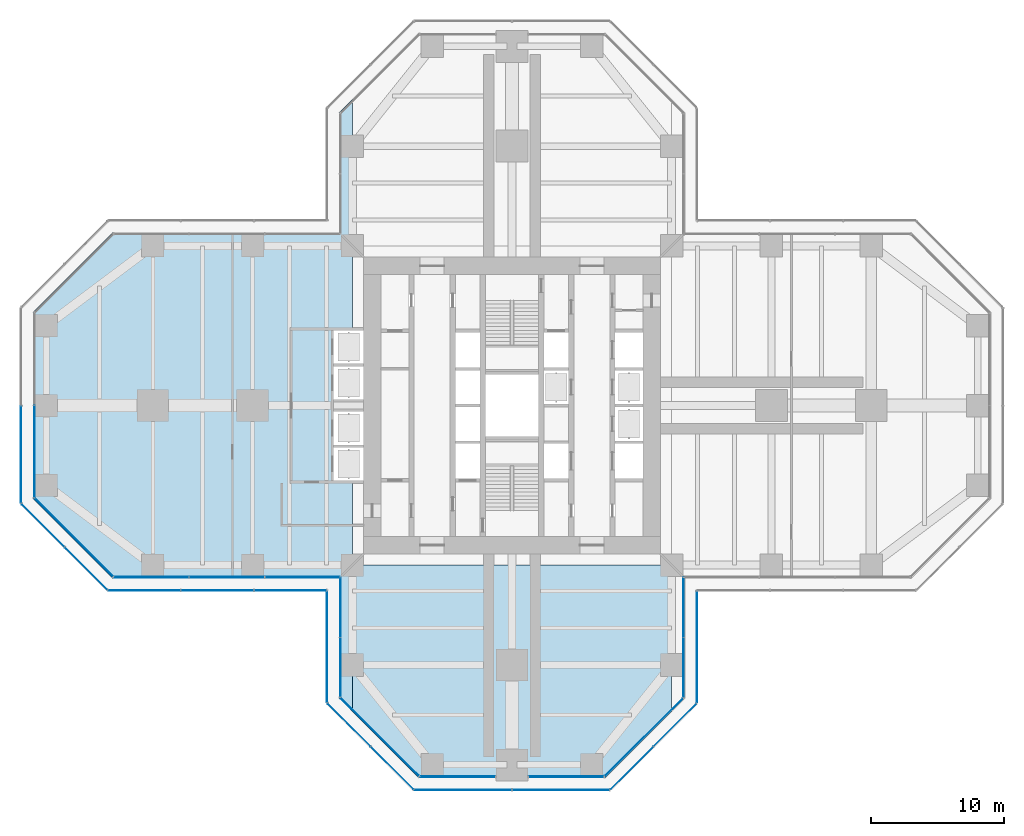
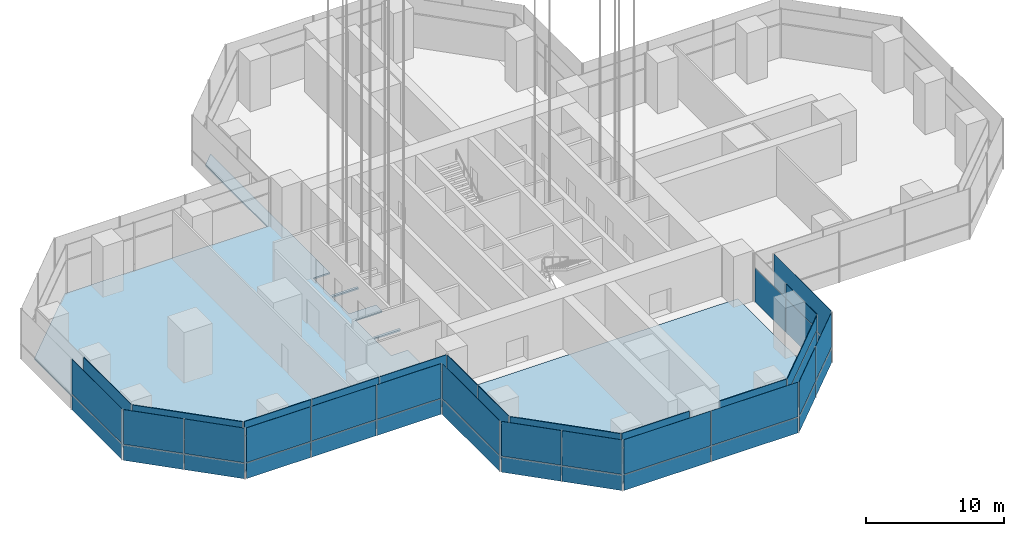
# One storey, part 11 of 34: 53 plates, 2 slabs, 17 elements without a shape of their own.
"""IFC4 building model written with IfcOpenShell, lengths in metres."""

import ifcopenshell
import ifcopenshell.guid

model = None  # the IFC model being written
_history = None  # IfcOwnerHistory: only IFC2X3 demands one
_inside = {}  # id of a spatial element -> (the spatial element, [elements in it])
_under = {}  # id of a project, library or spatial element -> (it, [spatial elements below it])
_declared = {}  # id of a project -> (the project, [libraries it declares])
_typed = {}  # id of a type object -> (the type object, [elements of that type])
_made_of = {}  # id of a material, layer set ... -> (it, [elements and type objects made of it])


def new_model(schema):
    """Start an empty IFC model of exactly this schema.

    Asked for "IFC4X3", IfcOpenShell would pick the latest addendum, in which some entities
    have other attributes; the version numbers below select the first issue.
    IFC2X3 requires an IfcOwnerHistory on every rooted entity: one is made here for all.
    """
    global model, _history
    if schema == "IFC4X3":
        model = ifcopenshell.file(schema_version=(4, 3, 0, 0))
    else:
        model = ifcopenshell.file(schema=schema)
    _inside.clear()
    _under.clear()
    _declared.clear()
    _typed.clear()
    _made_of.clear()
    _history = None
    if model.schema == "IFC2X3":
        org = make("IfcOrganization", Name="unknown")
        user = make(
            "IfcPersonAndOrganization",
            ThePerson=make("IfcPerson", FamilyName="unknown"),
            TheOrganization=org,
        )
        app = make(
            "IfcApplication",
            ApplicationDeveloper=org,
            Version="unknown",
            ApplicationFullName="unknown",
            ApplicationIdentifier="unknown",
        )
        _history = make(
            "IfcOwnerHistory",
            OwningUser=user,
            OwningApplication=app,
            ChangeAction="ADDED",
            CreationDate=0,
        )
    return model


def make(cls, **values):
    """One entity of the class cls with the attributes given. An attribute that is None is left unset."""
    return model.create_entity(
        cls, **{name: value for name, value in values.items() if value is not None}
    )


def rooted(cls, **values):
    """An entity with a GlobalId (a new one), such as an element, a storey or a relation."""
    return make(cls, GlobalId=ifcopenshell.guid.new(), OwnerHistory=_history, **values)


def si_unit(unit_type, name, prefix=None):
    """IfcSIUnit, for example si_unit("LENGTHUNIT", "METRE", prefix="MILLI")."""
    return make("IfcSIUnit", UnitType=unit_type, Prefix=prefix, Name=name)


def assignment(units):
    """IfcUnitAssignment: the units of a project."""
    return None if units is None else make("IfcUnitAssignment", Units=units)


def point(xyz):
    """IfcCartesianPoint."""
    return None if xyz is None else make("IfcCartesianPoint", Coordinates=xyz)


def direction(xyz):
    """IfcDirection."""
    return None if xyz is None else make("IfcDirection", DirectionRatios=xyz)


def frame(location, z_axis=None, x_axis=None):
    """IfcAxis2Placement3D, a coordinate frame: its origin and axes. An axis left out is left unset."""
    return make(
        "IfcAxis2Placement3D",
        Location=point(location),
        Axis=direction(z_axis),
        RefDirection=direction(x_axis),
    )


def frame_2d(location, x_axis=None):
    """IfcAxis2Placement2D, a coordinate frame in the plane: its origin and x axis."""
    return make(
        "IfcAxis2Placement2D", Location=point(location), RefDirection=direction(x_axis)
    )


def origin():
    """The frame at (0, 0, 0) with its axes left unset."""
    return frame((0.0, 0.0, 0.0))


def origin_2d():
    """The frame at (0, 0) in the plane with its x axis left unset."""
    return frame_2d((0.0, 0.0))


def place(relative_to, where):
    """IfcLocalPlacement: puts the frame where relative to a parent placement (None: the world)."""
    return make(
        "IfcLocalPlacement", PlacementRelTo=relative_to, RelativePlacement=where
    )


def context(
    kind, dimensions, precision=None, world=None, true_north=None, identifier=None
):
    """IfcGeometricRepresentationContext, for example the 3D "Model" context."""
    return make(
        "IfcGeometricRepresentationContext",
        ContextIdentifier=identifier,
        ContextType=kind,
        CoordinateSpaceDimension=dimensions,
        Precision=precision,
        WorldCoordinateSystem=world,
        TrueNorth=true_north,
    )


def subcontext(parent, identifier, kind, view, scale=None):
    """IfcGeometricRepresentationSubContext, for example "Body" below "Model"."""
    return make(
        "IfcGeometricRepresentationSubContext",
        ContextIdentifier=identifier,
        ContextType=kind,
        ParentContext=parent,
        TargetScale=scale,
        TargetView=view,
    )


def project(units=None, contexts=None):
    """IfcProject with its units and contexts."""
    return rooted(
        "IfcProject",
        Name="project",
        RepresentationContexts=contexts,
        UnitsInContext=assignment(units),
    )


def spatial(cls, under=None, at=None, **own):
    """A site, building, storey or space (cls), placed at a placement, below another one or the project."""
    s = rooted(cls, ObjectPlacement=at, **own)
    if under is not None:
        _under.setdefault(under.id(), (under, []))[1].append(s)
    return s


def polyline(points):
    """IfcPolyline through the points."""
    return make("IfcPolyline", Points=[point(p) for p in points])


def profile(cls, at=None, kind="AREA", **sizes):
    """A parametric profile (cls). Its sizes go by their IFC names, for example OverallWidth=200.0."""
    return make(cls, ProfileType=kind, Position=at, **sizes)


def rectangle(**sizes):
    """IfcRectangleProfileDef."""
    return profile("IfcRectangleProfileDef", **sizes)


def outline(outer, holes=None, kind="AREA"):
    """IfcArbitraryClosedProfileDef: a profile drawn as a closed curve; with holes, ...WithVoids."""
    if holes is None:
        return make("IfcArbitraryClosedProfileDef", ProfileType=kind, OuterCurve=outer)
    return make(
        "IfcArbitraryProfileDefWithVoids",
        ProfileType=kind,
        OuterCurve=outer,
        InnerCurves=holes,
    )


def extrude(swept, where, along, depth):
    """IfcExtrudedAreaSolid: the profile swept, set in the frame where, extruded along a direction by depth."""
    return make(
        "IfcExtrudedAreaSolid",
        SweptArea=swept,
        Position=where,
        ExtrudedDirection=direction(along),
        Depth=depth,
    )


def shape(context_of_items, identifier, shape_type, items):
    """IfcShapeRepresentation: the items that make up one representation, for example the "Body"."""
    return make(
        "IfcShapeRepresentation",
        ContextOfItems=context_of_items,
        RepresentationIdentifier=identifier,
        RepresentationType=shape_type,
        Items=items,
    )


def material(Name=None, Category=None):
    """IfcMaterial."""
    return make("IfcMaterial", Name=Name, Category=Category)


def layer(
    of_material, thickness, ventilated=None, Name=None, Category=None, Priority=None
):
    """IfcMaterialLayer: one layer of a wall or slab, of a material (None: an air gap)."""
    return make(
        "IfcMaterialLayer",
        Material=of_material,
        LayerThickness=thickness,
        IsVentilated=ventilated,
        Name=Name,
        Category=Category,
        Priority=Priority,
    )


def layer_set(layers, Name=None):
    """IfcMaterialLayerSet."""
    return make("IfcMaterialLayerSet", MaterialLayers=layers, LayerSetName=Name)


def made_of(thing, what):
    """Note that an element or type object is made of a material, layer set ...; save() writes the relation."""
    if what is not None:
        _made_of.setdefault(what.id(), (what, []))[1].append(thing)
    return thing


def type_object(cls, material=None, **own):
    """A type object (cls), such as IfcWallType, which elements share."""
    return made_of(rooted(cls, **own), material)


def element(
    cls,
    number,
    at=None,
    inside=None,
    cuts=None,
    type_object=None,
    material=None,
    context=None,
    identifier="Body",
    shape_type=None,
    held_by="IfcProductDefinitionShape",
    body=None,
    shapes=None,
    **own,
):
    """One element of the class cls, such as IfcWall. Its Tag is "e" and its number.

    at: its placement. inside: the storey or other place that contains it. cuts: it is an
    opening in that element (IfcRelVoidsElement). A single representation is given by context,
    identifier, shape_type and body (its items); several are given by shapes. held_by: the class
    of the entity that holds the representations. save() writes the other relations.
    """
    e = rooted(cls, Tag="e%d" % number, ObjectPlacement=at, **own)
    if body is not None:
        shapes = [shape(context, identifier, shape_type, body)]
    if shapes is not None:
        e.Representation = make(held_by, Representations=shapes)
    if inside is not None:
        _inside.setdefault(inside.id(), (inside, []))[1].append(e)
    if cuts is not None:
        rooted(
            "IfcRelVoidsElement", RelatingBuildingElement=cuts, RelatedOpeningElement=e
        )
    if type_object is not None:
        _typed.setdefault(type_object.id(), (type_object, []))[1].append(e)
    return made_of(e, material)


def aggregate(whole, parts):
    """IfcRelAggregates: a whole, such as a stair, and the parts it consists of."""
    return rooted("IfcRelAggregates", RelatingObject=whole, RelatedObjects=parts)


def save(model, path):
    """Write the relations noted so far, then the file.

    IfcRelAggregates (storeys below a building ...), IfcRelContainedInSpatialStructure (elements
    in a storey), IfcRelDefinesByType, IfcRelAssociatesMaterial and IfcRelDeclares: one each for
    every whole, place, type object, material and project.
    """
    for whole, parts in _under.values():
        aggregate(whole, parts)
    for where, things in _inside.values():
        rooted(
            "IfcRelContainedInSpatialStructure",
            RelatedElements=things,
            RelatingStructure=where,
        )
    for kind, things in _typed.values():
        rooted("IfcRelDefinesByType", RelatedObjects=things, RelatingType=kind)
    for what, things in _made_of.values():
        rooted("IfcRelAssociatesMaterial", RelatedObjects=things, RelatingMaterial=what)
    for by, libraries in _declared.values():
        rooted("IfcRelDeclares", RelatingContext=by, RelatedDefinitions=libraries)
    model.write(path)


model = new_model("IFC4")

# Units and contexts
model_context = context("Model", 3, precision=1e-05, world=origin(), true_north=direction((0.0, 1.0)))
body_context = subcontext(model_context, "Body", "Model", "MODEL_VIEW")
ifc_project = project(units=[si_unit("LENGTHUNIT", "METRE"), si_unit("AREAUNIT", "SQUARE_METRE"), si_unit("VOLUMEUNIT", "CUBIC_METRE"), si_unit("PLANEANGLEUNIT", "RADIAN"), si_unit("MASSUNIT", "GRAM", prefix="KILO")], contexts=[model_context])

# Site, building, storey
site_placement = place(None, origin())
site = spatial("IfcSite", under=ifc_project, at=site_placement, CompositionType="ELEMENT")
building_placement = place(site_placement, origin())
building = spatial("IfcBuilding", under=site, at=building_placement, Name="Mizan Broadcast Tower", CompositionType="ELEMENT")
storey_placement = place(building_placement, frame((0.0, 0.0, 194.39990234375)))
storey = spatial("IfcBuildingStorey", under=building, at=storey_placement, Name="L45", CompositionType="ELEMENT", Elevation=194.39990234375)

# Slabs
ifc_material_1 = material(Name="Concrete C32/40", Category="concrete")
ifc_layer_1 = layer(ifc_material_1, 0.1298828125)
ifc_layer_set_1 = layer_set([ifc_layer_1], Name="Concrete C32/40")
slab_type = type_object("IfcSlabType", Name="COMPOSITE DECK SLAB 130", PredefinedType="FLOOR", material=ifc_layer_set_1)
slab_1_placement = place(storey_placement, frame((0.0, 0.0, -0.1298828125)))
element("IfcSlab", 1, at=slab_1_placement, inside=storey, type_object=slab_type, Name="Floor slab L45 west arm", PredefinedType="FLOOR", context=body_context, shape_type="SweptSolid", body=[
    extrude(outline(polyline([(-30.0, 13.0), (-36.0, 7.0), (-36.0, -7.0), (-30.0, -13.0), (-13.0, -13.0), (-13.0, -22.0), (-12.0, -23.0), (-12.0, -5.64990234375), (-13.39990234375, -5.64990234375), (-13.39990234375, -3.14990234375), (-11.14990234375, -3.14990234375), (-11.14990234375, -2.949951171875), (-13.39990234375, -2.949951171875), (-13.39990234375, -0.449951171875), (-11.14990234375, -0.449951171875), (-11.14990234375, 0.449951171875), (-13.39990234375, 0.449951171875), (-13.39990234375, 2.949951171875), (-11.14990234375, 2.949951171875), (-11.14990234375, 3.14990234375), (-13.39990234375, 3.14990234375), (-13.39990234375, 5.64990234375), (-12.0, 5.64990234375), (-12.0, 23.0), (-13.0, 22.0), (-13.0, 13.0), (-30.0, 13.0)])), origin(), (0.0, 0.0, 1.0), 0.1298828125),
])
slab_2_placement = place(storey_placement, frame((0.0, 0.0, -0.1298828125)))
element("IfcSlab", 2, at=slab_2_placement, inside=storey, type_object=slab_type, Name="Floor slab L45 south arm", PredefinedType="FLOOR", context=body_context, shape_type="SweptSolid", body=[
    extrude(outline(polyline([(7.0, -28.0), (12.0, -23.0), (12.0, -12.0), (-12.0, -12.0), (-12.0, -23.0), (-7.0, -28.0), (7.0, -28.0)])), origin(), (0.0, 0.0, 1.0), 0.1298828125),
])

# Curtain wall, plate
ifc_material_2 = material(Name="Aluminium framed glazing", Category="aluminium")
curtain_wall_type_1 = type_object("IfcCurtainWallType", Name="INNER SKIN HIGH ZONE", PredefinedType="USERDEFINED", material=ifc_material_2)
curtain_wall_1_placement = place(storey_placement, origin())
curtain_wall_1 = element("IfcCurtainWall", 3, at=curtain_wall_1_placement, inside=storey, type_object=curtain_wall_type_1, Name="Inner skin high zone L45 W end", ObjectType="INNER SKIN HIGH ZONE", PredefinedType="USERDEFINED")
ifc_material_3 = material(Name="Double glazing, clear low-e", Category="glass")
ifc_layer_2 = layer(ifc_material_3, 0.028076171875)
ifc_layer_set_2 = layer_set([ifc_layer_2], Name="Double glazing, clear low-e")
plate_type_1 = type_object("IfcPlateType", Name="INNER SKIN GLAZING UNIT", PredefinedType="CURTAIN_PANEL", material=ifc_layer_set_2)
plate_1_placement = place(storey_placement, frame((-35.89990234375, -3.46435546875, 0.0), z_axis=(0.0, 0.0, 1.0), x_axis=(0.0, -1.0, 0.0)))
plate_1 = element("IfcPlate", 4, at=plate_1_placement, type_object=plate_type_1, Name="Inner skin high zone L45 W end panel 2.1", PredefinedType="CURTAIN_PANEL", context=body_context, shape_type="SweptSolid", body=[
    extrude(rectangle(XDim=6.86865234375, YDim=0.028076171875, at=origin_2d()), origin(), (0.0, 0.0, 1.0), 3.0),
])

curtain_wall_2_placement = place(storey_placement, origin())
curtain_wall_2 = element("IfcCurtainWall", 5, at=curtain_wall_2_placement, inside=storey, type_object=curtain_wall_type_1, Name="Inner skin high zone L45 W chamfer", ObjectType="INNER SKIN HIGH ZONE", PredefinedType="USERDEFINED")
plate_2_placement = place(storey_placement, frame((-32.92919921875, -9.92919921875, 0.0), z_axis=(0.0, 0.0, 1.0), x_axis=(0.707106781187, -0.707106781187, 0.0)))
plate_2 = element("IfcPlate", 6, at=plate_2_placement, type_object=plate_type_1, Name="Inner skin high zone L45 W chamfer panel 1.1", PredefinedType="CURTAIN_PANEL", context=body_context, shape_type="SweptSolid", body=[
    extrude(rectangle(XDim=8.282470703125, YDim=0.028076171875, at=origin_2d()), origin(), (0.0, 0.0, 1.0), 3.0),
])

# Curtain wall, plates
curtain_wall_3_placement = place(storey_placement, origin())
curtain_wall_3 = element("IfcCurtainWall", 7, at=curtain_wall_3_placement, inside=storey, type_object=curtain_wall_type_1, Name="Inner skin high zone L45 W side", ObjectType="INNER SKIN HIGH ZONE", PredefinedType="USERDEFINED")
plate_3_placement = place(storey_placement, frame((-27.1005859375, -12.89990234375, 0.0), z_axis=(0.0, 0.0, 1.0), x_axis=(1.0, 0.0, 0.0)))
plate_3 = element("IfcPlate", 8, at=plate_3_placement, type_object=plate_type_1, Name="Inner skin high zone L45 W side panel 1.1", PredefinedType="CURTAIN_PANEL", context=body_context, shape_type="SweptSolid", body=[
    extrude(rectangle(XDim=5.59619140625, YDim=0.028076171875, at=origin_2d()), origin(), (0.0, 0.0, 1.0), 3.0),
])
plate_4_placement = place(storey_placement, frame((-21.42919921875, -12.89990234375, 0.0), z_axis=(0.0, 0.0, 1.0), x_axis=(1.0, 0.0, 0.0)))
plate_4 = element("IfcPlate", 9, at=plate_4_placement, type_object=plate_type_1, Name="Inner skin high zone L45 W side panel 2.1", PredefinedType="CURTAIN_PANEL", context=body_context, shape_type="SweptSolid", body=[
    extrude(rectangle(XDim=5.626220703125, YDim=0.028076171875, at=origin_2d()), origin(), (0.0, 0.0, 1.0), 3.0),
])
plate_5_placement = place(storey_placement, frame((-15.758056640625, -12.89990234375, 0.0), z_axis=(0.0, 0.0, 1.0), x_axis=(1.0, 0.0, 0.0)))
plate_5 = element("IfcPlate", 10, at=plate_5_placement, type_object=plate_type_1, Name="Inner skin high zone L45 W side panel 3.1", PredefinedType="CURTAIN_PANEL", context=body_context, shape_type="SweptSolid", body=[
    extrude(rectangle(XDim=5.59619140625, YDim=0.028076171875, at=origin_2d()), origin(), (0.0, 0.0, 1.0), 3.0),
])

curtain_wall_4_placement = place(storey_placement, origin())
curtain_wall_4 = element("IfcCurtainWall", 11, at=curtain_wall_4_placement, inside=storey, type_object=curtain_wall_type_1, Name="Inner skin high zone L45 S side", ObjectType="INNER SKIN HIGH ZONE", PredefinedType="USERDEFINED")
plate_6_placement = place(storey_placement, frame((-12.89990234375, -15.1796875, 0.0), z_axis=(0.0, 0.0, 1.0), x_axis=(0.0, -1.0, 0.0)))
plate_6 = element("IfcPlate", 12, at=plate_6_placement, type_object=plate_type_1, Name="Inner skin high zone L45 S side panel 1.1", PredefinedType="CURTAIN_PANEL", context=body_context, shape_type="SweptSolid", body=[
    extrude(rectangle(XDim=4.439208984375, YDim=0.028076171875, at=origin_2d()), origin(), (0.0, 0.0, 1.0), 3.0),
])
plate_7_placement = place(storey_placement, frame((-12.89990234375, -19.678955078125, 0.0), z_axis=(0.0, 0.0, 1.0), x_axis=(0.0, -1.0, 0.0)))
plate_7 = element("IfcPlate", 13, at=plate_7_placement, type_object=plate_type_1, Name="Inner skin high zone L45 S side panel 2.1", PredefinedType="CURTAIN_PANEL", context=body_context, shape_type="SweptSolid", body=[
    extrude(rectangle(XDim=4.439208984375, YDim=0.028076171875, at=origin_2d()), origin(), (0.0, 0.0, 1.0), 3.0),
])

# Curtain wall, plate
curtain_wall_5_placement = place(storey_placement, origin())
curtain_wall_5 = element("IfcCurtainWall", 14, at=curtain_wall_5_placement, inside=storey, type_object=curtain_wall_type_1, Name="Inner skin high zone L45 S chamfer", ObjectType="INNER SKIN HIGH ZONE", PredefinedType="USERDEFINED")
plate_8_placement = place(storey_placement, frame((-9.92919921875, -24.92919921875, 0.0), z_axis=(0.0, 0.0, 1.0), x_axis=(0.707106781187, -0.707106781187, 0.0)))
plate_8 = element("IfcPlate", 15, at=plate_8_placement, type_object=plate_type_1, Name="Inner skin high zone L45 S chamfer panel 1.1", PredefinedType="CURTAIN_PANEL", context=body_context, shape_type="SweptSolid", body=[
    extrude(rectangle(XDim=8.282470703125, YDim=0.028076171875, at=origin_2d()), origin(), (0.0, 0.0, 1.0), 3.0),
])

curtain_wall_6_placement = place(storey_placement, origin())
curtain_wall_6 = element("IfcCurtainWall", 16, at=curtain_wall_6_placement, inside=storey, type_object=curtain_wall_type_1, Name="Inner skin high zone L45 S end", ObjectType="INNER SKIN HIGH ZONE", PredefinedType="USERDEFINED")
plate_9_placement = place(storey_placement, frame((-4.079345703125, -27.89990234375, 0.0), z_axis=(0.0, 0.0, 1.0), x_axis=(1.0, 0.0, 0.0)))
plate_9 = element("IfcPlate", 17, at=plate_9_placement, type_object=plate_type_1, Name="Inner skin high zone L45 S end panel 1.1", PredefinedType="CURTAIN_PANEL", context=body_context, shape_type="SweptSolid", body=[
    extrude(rectangle(XDim=5.638671875, YDim=0.028076171875, at=origin_2d()), origin(), (0.0, 0.0, 1.0), 3.0),
])

curtain_wall_7_placement = place(storey_placement, origin())
curtain_wall_7 = element("IfcCurtainWall", 18, at=curtain_wall_7_placement, inside=storey, type_object=curtain_wall_type_1, Name="Inner skin high zone L45 S end", ObjectType="INNER SKIN HIGH ZONE", PredefinedType="USERDEFINED")
plate_10_placement = place(storey_placement, frame((4.079345703125, -27.89990234375, 0.0), z_axis=(0.0, 0.0, 1.0), x_axis=(1.0, 0.0, 0.0)))
plate_10 = element("IfcPlate", 19, at=plate_10_placement, type_object=plate_type_1, Name="Inner skin high zone L45 S end panel 1.1", PredefinedType="CURTAIN_PANEL", context=body_context, shape_type="SweptSolid", body=[
    extrude(rectangle(XDim=5.638671875, YDim=0.028076171875, at=origin_2d()), origin(), (0.0, 0.0, 1.0), 3.0),
])

curtain_wall_8_placement = place(storey_placement, origin())
curtain_wall_8 = element("IfcCurtainWall", 20, at=curtain_wall_8_placement, inside=storey, type_object=curtain_wall_type_1, Name="Inner skin high zone L45 S chamfer", ObjectType="INNER SKIN HIGH ZONE", PredefinedType="USERDEFINED")
plate_11_placement = place(storey_placement, frame((9.92919921875, -24.92919921875, 0.0), z_axis=(0.0, 0.0, 1.0), x_axis=(0.707106781187, 0.707106781187, 0.0)))
plate_11 = element("IfcPlate", 21, at=plate_11_placement, type_object=plate_type_1, Name="Inner skin high zone L45 S chamfer panel 1.1", PredefinedType="CURTAIN_PANEL", context=body_context, shape_type="SweptSolid", body=[
    extrude(rectangle(XDim=8.282470703125, YDim=0.028076171875, at=origin_2d()), origin(), (0.0, 0.0, 1.0), 3.0),
])

# Curtain wall, plates
curtain_wall_9_placement = place(storey_placement, origin())
curtain_wall_9 = element("IfcCurtainWall", 22, at=curtain_wall_9_placement, inside=storey, type_object=curtain_wall_type_1, Name="Inner skin high zone L45 S side", ObjectType="INNER SKIN HIGH ZONE", PredefinedType="USERDEFINED")
plate_12_placement = place(storey_placement, frame((12.89990234375, -19.678955078125, 0.0), z_axis=(0.0, 0.0, 1.0), x_axis=(0.0, 1.0, 0.0)))
plate_12 = element("IfcPlate", 23, at=plate_12_placement, type_object=plate_type_1, Name="Inner skin high zone L45 S side panel 1.1", PredefinedType="CURTAIN_PANEL", context=body_context, shape_type="SweptSolid", body=[
    extrude(rectangle(XDim=4.439208984375, YDim=0.028076171875, at=origin_2d()), origin(), (0.0, 0.0, 1.0), 3.0),
])
plate_13_placement = place(storey_placement, frame((12.89990234375, -15.1796875, 0.0), z_axis=(0.0, 0.0, 1.0), x_axis=(0.0, 1.0, 0.0)))
plate_13 = element("IfcPlate", 24, at=plate_13_placement, type_object=plate_type_1, Name="Inner skin high zone L45 S side panel 2.1", PredefinedType="CURTAIN_PANEL", context=body_context, shape_type="SweptSolid", body=[
    extrude(rectangle(XDim=4.439208984375, YDim=0.028076171875, at=origin_2d()), origin(), (0.0, 0.0, 1.0), 3.0),
])

# Plate
ifc_material_4 = material(Name="Insulated aluminium spandrel panel, pale anodised", Category="aluminium")
ifc_layer_3 = layer(ifc_material_4, 0.050048828125)
ifc_layer_set_3 = layer_set([ifc_layer_3], Name="Insulated aluminium spandrel panel, pale anodised")
plate_type_2 = type_object("IfcPlateType", Name="INNER SKIN SPANDREL PANEL", PredefinedType="CURTAIN_PANEL", material=ifc_layer_set_3)
plate_14_placement = place(storey_placement, frame((-35.89990234375, -3.46435546875, 3.06005859375), z_axis=(0.0, 0.0, 1.0), x_axis=(0.0, -1.0, 0.0)))
plate_14 = element("IfcPlate", 25, at=plate_14_placement, type_object=plate_type_2, Name="Inner skin high zone L45 W end panel 2.2", PredefinedType="CURTAIN_PANEL", context=body_context, shape_type="SweptSolid", body=[
    extrude(rectangle(XDim=6.86865234375, YDim=0.050048828125, at=origin_2d()), origin(), (0.0, 0.0, 1.0), 1.260009765625),
])

aggregate(curtain_wall_1, [plate_1, plate_14])

plate_15_placement = place(storey_placement, frame((-32.92919921875, -9.92919921875, 3.06005859375), z_axis=(0.0, 0.0, 1.0), x_axis=(0.707106781187, -0.707106781187, 0.0)))
plate_15 = element("IfcPlate", 26, at=plate_15_placement, type_object=plate_type_2, Name="Inner skin high zone L45 W chamfer panel 1.2", PredefinedType="CURTAIN_PANEL", context=body_context, shape_type="SweptSolid", body=[
    extrude(rectangle(XDim=8.282470703125, YDim=0.050048828125, at=origin_2d()), origin(), (0.0, 0.0, 1.0), 1.260009765625),
])

aggregate(curtain_wall_2, [plate_2, plate_15])

plate_16_placement = place(storey_placement, frame((-27.1005859375, -12.89990234375, 3.06005859375), z_axis=(0.0, 0.0, 1.0), x_axis=(1.0, 0.0, 0.0)))
plate_16 = element("IfcPlate", 27, at=plate_16_placement, type_object=plate_type_2, Name="Inner skin high zone L45 W side panel 1.2", PredefinedType="CURTAIN_PANEL", context=body_context, shape_type="SweptSolid", body=[
    extrude(rectangle(XDim=5.59619140625, YDim=0.050048828125, at=origin_2d()), origin(), (0.0, 0.0, 1.0), 1.260009765625),
])

plate_17_placement = place(storey_placement, frame((-21.42919921875, -12.89990234375, 3.06005859375), z_axis=(0.0, 0.0, 1.0), x_axis=(1.0, 0.0, 0.0)))
plate_17 = element("IfcPlate", 28, at=plate_17_placement, type_object=plate_type_2, Name="Inner skin high zone L45 W side panel 2.2", PredefinedType="CURTAIN_PANEL", context=body_context, shape_type="SweptSolid", body=[
    extrude(rectangle(XDim=5.626220703125, YDim=0.050048828125, at=origin_2d()), origin(), (0.0, 0.0, 1.0), 1.260009765625),
])

plate_18_placement = place(storey_placement, frame((-15.758056640625, -12.89990234375, 3.06005859375), z_axis=(0.0, 0.0, 1.0), x_axis=(1.0, 0.0, 0.0)))
plate_18 = element("IfcPlate", 29, at=plate_18_placement, type_object=plate_type_2, Name="Inner skin high zone L45 W side panel 3.2", PredefinedType="CURTAIN_PANEL", context=body_context, shape_type="SweptSolid", body=[
    extrude(rectangle(XDim=5.59619140625, YDim=0.050048828125, at=origin_2d()), origin(), (0.0, 0.0, 1.0), 1.260009765625),
])

aggregate(curtain_wall_3, [plate_3, plate_16, plate_4, plate_17, plate_5, plate_18])

plate_19_placement = place(storey_placement, frame((-12.89990234375, -15.1796875, 3.06005859375), z_axis=(0.0, 0.0, 1.0), x_axis=(0.0, -1.0, 0.0)))
plate_19 = element("IfcPlate", 30, at=plate_19_placement, type_object=plate_type_2, Name="Inner skin high zone L45 S side panel 1.2", PredefinedType="CURTAIN_PANEL", context=body_context, shape_type="SweptSolid", body=[
    extrude(rectangle(XDim=4.439208984375, YDim=0.050048828125, at=origin_2d()), origin(), (0.0, 0.0, 1.0), 1.260009765625),
])

plate_20_placement = place(storey_placement, frame((-12.89990234375, -19.678955078125, 3.06005859375), z_axis=(0.0, 0.0, 1.0), x_axis=(0.0, -1.0, 0.0)))
plate_20 = element("IfcPlate", 31, at=plate_20_placement, type_object=plate_type_2, Name="Inner skin high zone L45 S side panel 2.2", PredefinedType="CURTAIN_PANEL", context=body_context, shape_type="SweptSolid", body=[
    extrude(rectangle(XDim=4.439208984375, YDim=0.050048828125, at=origin_2d()), origin(), (0.0, 0.0, 1.0), 1.260009765625),
])

aggregate(curtain_wall_4, [plate_6, plate_19, plate_7, plate_20])

plate_21_placement = place(storey_placement, frame((-9.92919921875, -24.92919921875, 3.06005859375), z_axis=(0.0, 0.0, 1.0), x_axis=(0.707106781187, -0.707106781187, 0.0)))
plate_21 = element("IfcPlate", 32, at=plate_21_placement, type_object=plate_type_2, Name="Inner skin high zone L45 S chamfer panel 1.2", PredefinedType="CURTAIN_PANEL", context=body_context, shape_type="SweptSolid", body=[
    extrude(rectangle(XDim=8.282470703125, YDim=0.050048828125, at=origin_2d()), origin(), (0.0, 0.0, 1.0), 1.260009765625),
])

aggregate(curtain_wall_5, [plate_8, plate_21])

plate_22_placement = place(storey_placement, frame((-4.079345703125, -27.89990234375, 3.06005859375), z_axis=(0.0, 0.0, 1.0), x_axis=(1.0, 0.0, 0.0)))
plate_22 = element("IfcPlate", 33, at=plate_22_placement, type_object=plate_type_2, Name="Inner skin high zone L45 S end panel 1.2", PredefinedType="CURTAIN_PANEL", context=body_context, shape_type="SweptSolid", body=[
    extrude(rectangle(XDim=5.638671875, YDim=0.050048828125, at=origin_2d()), origin(), (0.0, 0.0, 1.0), 1.260009765625),
])

aggregate(curtain_wall_6, [plate_9, plate_22])

plate_23_placement = place(storey_placement, frame((4.079345703125, -27.89990234375, 3.06005859375), z_axis=(0.0, 0.0, 1.0), x_axis=(1.0, 0.0, 0.0)))
plate_23 = element("IfcPlate", 34, at=plate_23_placement, type_object=plate_type_2, Name="Inner skin high zone L45 S end panel 1.2", PredefinedType="CURTAIN_PANEL", context=body_context, shape_type="SweptSolid", body=[
    extrude(rectangle(XDim=5.638671875, YDim=0.050048828125, at=origin_2d()), origin(), (0.0, 0.0, 1.0), 1.260009765625),
])

aggregate(curtain_wall_7, [plate_10, plate_23])

plate_24_placement = place(storey_placement, frame((9.92919921875, -24.92919921875, 3.06005859375), z_axis=(0.0, 0.0, 1.0), x_axis=(0.707106781187, 0.707106781187, 0.0)))
plate_24 = element("IfcPlate", 35, at=plate_24_placement, type_object=plate_type_2, Name="Inner skin high zone L45 S chamfer panel 1.2", PredefinedType="CURTAIN_PANEL", context=body_context, shape_type="SweptSolid", body=[
    extrude(rectangle(XDim=8.282470703125, YDim=0.050048828125, at=origin_2d()), origin(), (0.0, 0.0, 1.0), 1.260009765625),
])

aggregate(curtain_wall_8, [plate_11, plate_24])

plate_25_placement = place(storey_placement, frame((12.89990234375, -19.678955078125, 3.06005859375), z_axis=(0.0, 0.0, 1.0), x_axis=(0.0, 1.0, 0.0)))
plate_25 = element("IfcPlate", 36, at=plate_25_placement, type_object=plate_type_2, Name="Inner skin high zone L45 S side panel 1.2", PredefinedType="CURTAIN_PANEL", context=body_context, shape_type="SweptSolid", body=[
    extrude(rectangle(XDim=4.439208984375, YDim=0.050048828125, at=origin_2d()), origin(), (0.0, 0.0, 1.0), 1.260009765625),
])

aggregate(curtain_wall_9, [plate_12, plate_25, plate_13])

# Curtain wall, plates
ifc_material_5 = material(Name="Aluminium framed glazing", Category="aluminium")
curtain_wall_type_2 = type_object("IfcCurtainWallType", Name="OUTER SKIN", PredefinedType="USERDEFINED", material=ifc_material_5)
curtain_wall_10_placement = place(storey_placement, origin())
curtain_wall_10 = element("IfcCurtainWall", 37, at=curtain_wall_10_placement, inside=storey, type_object=curtain_wall_type_2, Name="Outer skin L45 W chamfer", ObjectType="OUTER SKIN", PredefinedType="USERDEFINED")
ifc_material_6 = material(Name="Laminated clear glass", Category="glass")
ifc_layer_4 = layer(ifc_material_6, 0.02001953125)
ifc_layer_set_4 = layer_set([ifc_layer_4], Name="Laminated clear glass")
plate_type_3 = type_object("IfcPlateType", Name="OUTER SKIN CLEAR GLASS", PredefinedType="CURTAIN_PANEL", material=ifc_layer_set_4)
plate_26_placement = place(storey_placement, frame((-35.254150390625, -9.018798828125, 0.0), z_axis=(0.0, 0.0, 1.0), x_axis=(0.707106781187, -0.707106781187, 0.0)))
plate_26 = element("IfcPlate", 38, at=plate_26_placement, type_object=plate_type_3, Name="Outer skin L45 W chamfer panel 1.1", PredefinedType="CURTAIN_PANEL", context=body_context, shape_type="SweptSolid", body=[
    extrude(rectangle(XDim=4.495361328125, YDim=0.02001953125, at=origin_2d()), origin(), (0.0, 0.0, 1.0), 1.3701171875),
])
plate_27_placement = place(storey_placement, frame((-35.254150390625, -9.018798828125, 1.43017578125), z_axis=(0.0, 0.0, 1.0), x_axis=(0.707106781187, -0.707106781187, 0.0)))
plate_27 = element("IfcPlate", 39, at=plate_27_placement, type_object=plate_type_3, Name="Outer skin L45 W chamfer panel 1.2", PredefinedType="CURTAIN_PANEL", context=body_context, shape_type="SweptSolid", body=[
    extrude(rectangle(XDim=4.495361328125, YDim=0.02001953125, at=origin_2d()), origin(), (0.0, 0.0, 1.0), 3.070068359375),
])

curtain_wall_11_placement = place(storey_placement, origin())
curtain_wall_11 = element("IfcCurtainWall", 40, at=curtain_wall_11_placement, inside=storey, type_object=curtain_wall_type_2, Name="Outer skin L45 W side", ObjectType="OUTER SKIN", PredefinedType="USERDEFINED")
plate_28_placement = place(storey_placement, frame((-27.607421875, -13.89990234375, 0.0), z_axis=(0.0, 0.0, 1.0), x_axis=(1.0, 0.0, 0.0)))
plate_28 = element("IfcPlate", 41, at=plate_28_placement, type_object=plate_type_3, Name="Outer skin L45 W side panel 1.1", PredefinedType="CURTAIN_PANEL", context=body_context, shape_type="SweptSolid", body=[
    extrude(rectangle(XDim=5.370849609375, YDim=0.02001953125, at=origin_2d()), origin(), (0.0, 0.0, 1.0), 1.3701171875),
])
plate_29_placement = place(storey_placement, frame((-27.607421875, -13.89990234375, 1.43017578125), z_axis=(0.0, 0.0, 1.0), x_axis=(1.0, 0.0, 0.0)))
plate_29 = element("IfcPlate", 42, at=plate_29_placement, type_object=plate_type_3, Name="Outer skin L45 W side panel 1.2", PredefinedType="CURTAIN_PANEL", context=body_context, shape_type="SweptSolid", body=[
    extrude(rectangle(XDim=5.370849609375, YDim=0.02001953125, at=origin_2d()), origin(), (0.0, 0.0, 1.0), 3.070068359375),
])
plate_30_placement = place(storey_placement, frame((-16.66552734375, -13.89990234375, 0.0), z_axis=(0.0, 0.0, 1.0), x_axis=(1.0, 0.0, 0.0)))
plate_30 = element("IfcPlate", 43, at=plate_30_placement, type_object=plate_type_3, Name="Outer skin L45 W side panel 3.1", PredefinedType="CURTAIN_PANEL", context=body_context, shape_type="SweptSolid", body=[
    extrude(rectangle(XDim=5.370849609375, YDim=0.02001953125, at=origin_2d()), origin(), (0.0, 0.0, 1.0), 1.3701171875),
])
plate_31_placement = place(storey_placement, frame((-16.66552734375, -13.89990234375, 1.43017578125), z_axis=(0.0, 0.0, 1.0), x_axis=(1.0, 0.0, 0.0)))
plate_31 = element("IfcPlate", 44, at=plate_31_placement, type_object=plate_type_3, Name="Outer skin L45 W side panel 3.2", PredefinedType="CURTAIN_PANEL", context=body_context, shape_type="SweptSolid", body=[
    extrude(rectangle(XDim=5.370849609375, YDim=0.02001953125, at=origin_2d()), origin(), (0.0, 0.0, 1.0), 3.070068359375),
])

curtain_wall_12_placement = place(storey_placement, origin())
curtain_wall_12 = element("IfcCurtainWall", 45, at=curtain_wall_12_placement, inside=storey, type_object=curtain_wall_type_2, Name="Outer skin L45 S side", ObjectType="OUTER SKIN", PredefinedType="USERDEFINED")
plate_32_placement = place(storey_placement, frame((-13.89990234375, -18.136474609375, 0.0), z_axis=(0.0, 0.0, 1.0), x_axis=(0.0, -1.0, 0.0)))
plate_32 = element("IfcPlate", 46, at=plate_32_placement, type_object=plate_type_3, Name="Outer skin L45 S side panel 1.1", PredefinedType="CURTAIN_PANEL", context=body_context, shape_type="SweptSolid", body=[
    extrude(rectangle(XDim=8.312744140625, YDim=0.02001953125, at=origin_2d()), origin(), (0.0, 0.0, 1.0), 1.3701171875),
])
plate_33_placement = place(storey_placement, frame((-13.89990234375, -18.136474609375, 1.43017578125), z_axis=(0.0, 0.0, 1.0), x_axis=(0.0, -1.0, 0.0)))
plate_33 = element("IfcPlate", 47, at=plate_33_placement, type_object=plate_type_3, Name="Outer skin L45 S side panel 1.2", PredefinedType="CURTAIN_PANEL", context=body_context, shape_type="SweptSolid", body=[
    extrude(rectangle(XDim=8.312744140625, YDim=0.02001953125, at=origin_2d()), origin(), (0.0, 0.0, 1.0), 3.070068359375),
])
aggregate(curtain_wall_12, [plate_32, plate_33])

curtain_wall_13_placement = place(storey_placement, origin())
curtain_wall_13 = element("IfcCurtainWall", 48, at=curtain_wall_13_placement, inside=storey, type_object=curtain_wall_type_2, Name="Outer skin L45 S chamfer", ObjectType="OUTER SKIN", PredefinedType="USERDEFINED")
plate_34_placement = place(storey_placement, frame((-12.254150390625, -24.018798828125, 0.0), z_axis=(0.0, 0.0, 1.0), x_axis=(0.707106781187, -0.707106781187, 0.0)))
plate_34 = element("IfcPlate", 49, at=plate_34_placement, type_object=plate_type_3, Name="Outer skin L45 S chamfer panel 1.1", PredefinedType="CURTAIN_PANEL", context=body_context, shape_type="SweptSolid", body=[
    extrude(rectangle(XDim=4.495361328125, YDim=0.02001953125, at=origin_2d()), origin(), (0.0, 0.0, 1.0), 1.3701171875),
])
plate_35_placement = place(storey_placement, frame((-12.254150390625, -24.018798828125, 1.43017578125), z_axis=(0.0, 0.0, 1.0), x_axis=(0.707106781187, -0.707106781187, 0.0)))
plate_35 = element("IfcPlate", 50, at=plate_35_placement, type_object=plate_type_3, Name="Outer skin L45 S chamfer panel 1.2", PredefinedType="CURTAIN_PANEL", context=body_context, shape_type="SweptSolid", body=[
    extrude(rectangle(XDim=4.495361328125, YDim=0.02001953125, at=origin_2d()), origin(), (0.0, 0.0, 1.0), 3.070068359375),
])

# Curtain wall, plate
curtain_wall_14_placement = place(storey_placement, origin())
curtain_wall_14 = element("IfcCurtainWall", 51, at=curtain_wall_14_placement, inside=storey, type_object=curtain_wall_type_2, Name="Outer skin L45 S end", ObjectType="OUTER SKIN", PredefinedType="USERDEFINED")
plate_36_placement = place(storey_placement, frame((-3.66650390625, -28.89990234375, 0.0), z_axis=(0.0, 0.0, 1.0), x_axis=(1.0, 0.0, 0.0)))
plate_36 = element("IfcPlate", 52, at=plate_36_placement, type_object=plate_type_3, Name="Outer skin L45 S end panel 1.1", PredefinedType="CURTAIN_PANEL", context=body_context, shape_type="SweptSolid", body=[
    extrude(rectangle(XDim=7.252685546875, YDim=0.02001953125, at=origin_2d()), origin(), (0.0, 0.0, 1.0), 1.3701171875),
])

# Curtain wall, plates
curtain_wall_15_placement = place(storey_placement, origin())
curtain_wall_15 = element("IfcCurtainWall", 53, at=curtain_wall_15_placement, inside=storey, type_object=curtain_wall_type_2, Name="Outer skin L45 S chamfer", ObjectType="OUTER SKIN", PredefinedType="USERDEFINED")
plate_37_placement = place(storey_placement, frame((9.018798828125, -27.254150390625, 0.0), z_axis=(0.0, 0.0, 1.0), x_axis=(0.707106781187, 0.707106781187, 0.0)))
plate_37 = element("IfcPlate", 54, at=plate_37_placement, type_object=plate_type_3, Name="Outer skin L45 S chamfer panel 1.1", PredefinedType="CURTAIN_PANEL", context=body_context, shape_type="SweptSolid", body=[
    extrude(rectangle(XDim=4.495361328125, YDim=0.02001953125, at=origin_2d()), origin(), (0.0, 0.0, 1.0), 1.3701171875),
])
plate_38_placement = place(storey_placement, frame((9.018798828125, -27.254150390625, 1.43017578125), z_axis=(0.0, 0.0, 1.0), x_axis=(0.707106781187, 0.707106781187, 0.0)))
plate_38 = element("IfcPlate", 55, at=plate_38_placement, type_object=plate_type_3, Name="Outer skin L45 S chamfer panel 1.2", PredefinedType="CURTAIN_PANEL", context=body_context, shape_type="SweptSolid", body=[
    extrude(rectangle(XDim=4.495361328125, YDim=0.02001953125, at=origin_2d()), origin(), (0.0, 0.0, 1.0), 3.070068359375),
])

curtain_wall_16_placement = place(storey_placement, origin())
curtain_wall_16 = element("IfcCurtainWall", 56, at=curtain_wall_16_placement, inside=storey, type_object=curtain_wall_type_2, Name="Outer skin L45 S side", ObjectType="OUTER SKIN", PredefinedType="USERDEFINED")
plate_39_placement = place(storey_placement, frame((13.89990234375, -18.136474609375, 0.0), z_axis=(0.0, 0.0, 1.0), x_axis=(0.0, 1.0, 0.0)))
plate_39 = element("IfcPlate", 57, at=plate_39_placement, type_object=plate_type_3, Name="Outer skin L45 S side panel 1.1", PredefinedType="CURTAIN_PANEL", context=body_context, shape_type="SweptSolid", body=[
    extrude(rectangle(XDim=8.312744140625, YDim=0.02001953125, at=origin_2d()), origin(), (0.0, 0.0, 1.0), 1.3701171875),
])
plate_40_placement = place(storey_placement, frame((13.89990234375, -18.136474609375, 1.43017578125), z_axis=(0.0, 0.0, 1.0), x_axis=(0.0, 1.0, 0.0)))
plate_40 = element("IfcPlate", 58, at=plate_40_placement, type_object=plate_type_3, Name="Outer skin L45 S side panel 1.2", PredefinedType="CURTAIN_PANEL", context=body_context, shape_type="SweptSolid", body=[
    extrude(rectangle(XDim=8.312744140625, YDim=0.02001953125, at=origin_2d()), origin(), (0.0, 0.0, 1.0), 3.070068359375),
])
aggregate(curtain_wall_16, [plate_39, plate_40])

curtain_wall_17_placement = place(storey_placement, origin())
curtain_wall_17 = element("IfcCurtainWall", 59, at=curtain_wall_17_placement, inside=storey, type_object=curtain_wall_type_2, Name="Outer skin L45 W end", ObjectType="OUTER SKIN", PredefinedType="USERDEFINED")
ifc_material_7 = material(Name="Perforated aluminium, pale anodised", Category="aluminium")
ifc_layer_5 = layer(ifc_material_7, 0.011962890625)
ifc_layer_set_5 = layer_set([ifc_layer_5], Name="Perforated aluminium, pale anodised")
plate_type_4 = type_object("IfcPlateType", Name="OUTER SKIN PERFORATED SCREEN", PredefinedType="USERDEFINED", material=ifc_layer_set_5)
plate_41_placement = place(storey_placement, frame((-36.89990234375, -3.66650390625, 0.0), z_axis=(0.0, 0.0, 1.0), x_axis=(0.0, -1.0, 0.0)))
plate_41 = element("IfcPlate", 60, at=plate_41_placement, type_object=plate_type_4, Name="Outer skin L45 W end panel 2.1", ObjectType="SCREEN", PredefinedType="USERDEFINED", context=body_context, shape_type="SweptSolid", body=[
    extrude(rectangle(XDim=7.252685546875, YDim=0.011962890625, at=origin_2d()), origin(), (0.0, 0.0, 1.0), 1.3701171875),
])
plate_42_placement = place(storey_placement, frame((-36.89990234375, -3.66650390625, 1.43017578125), z_axis=(0.0, 0.0, 1.0), x_axis=(0.0, -1.0, 0.0)))
plate_42 = element("IfcPlate", 61, at=plate_42_placement, type_object=plate_type_4, Name="Outer skin L45 W end panel 2.2", ObjectType="SCREEN", PredefinedType="USERDEFINED", context=body_context, shape_type="SweptSolid", body=[
    extrude(rectangle(XDim=7.252685546875, YDim=0.011962890625, at=origin_2d()), origin(), (0.0, 0.0, 1.0), 3.070068359375),
])
aggregate(curtain_wall_17, [plate_41, plate_42])

# Plate
plate_43_placement = place(storey_placement, frame((-32.018798828125, -12.254150390625, 0.0), z_axis=(0.0, 0.0, 1.0), x_axis=(0.707106781187, -0.707106781187, 0.0)))
plate_43 = element("IfcPlate", 62, at=plate_43_placement, type_object=plate_type_4, Name="Outer skin L45 W chamfer panel 2.1", ObjectType="SCREEN", PredefinedType="USERDEFINED", context=body_context, shape_type="SweptSolid", body=[
    extrude(rectangle(XDim=4.495361328125, YDim=0.011962890625, at=origin_2d()), origin(), (0.0, 0.0, 1.0), 1.3701171875),
])

plate_44_placement = place(storey_placement, frame((-32.018798828125, -12.254150390625, 1.43017578125), z_axis=(0.0, 0.0, 1.0), x_axis=(0.707106781187, -0.707106781187, 0.0)))
plate_44 = element("IfcPlate", 63, at=plate_44_placement, type_object=plate_type_4, Name="Outer skin L45 W chamfer panel 2.2", ObjectType="SCREEN", PredefinedType="USERDEFINED", context=body_context, shape_type="SweptSolid", body=[
    extrude(rectangle(XDim=4.495361328125, YDim=0.011962890625, at=origin_2d()), origin(), (0.0, 0.0, 1.0), 3.070068359375),
])

aggregate(curtain_wall_10, [plate_26, plate_27, plate_43, plate_44])

plate_45_placement = place(storey_placement, frame((-22.136474609375, -13.89990234375, 0.0), z_axis=(0.0, 0.0, 1.0), x_axis=(1.0, 0.0, 0.0)))
plate_45 = element("IfcPlate", 64, at=plate_45_placement, type_object=plate_type_4, Name="Outer skin L45 W side panel 2.1", ObjectType="SCREEN", PredefinedType="USERDEFINED", context=body_context, shape_type="SweptSolid", body=[
    extrude(rectangle(XDim=5.410888671875, YDim=0.011962890625, at=origin_2d()), origin(), (0.0, 0.0, 1.0), 1.3701171875),
])

plate_46_placement = place(storey_placement, frame((-22.136474609375, -13.89990234375, 1.43017578125), z_axis=(0.0, 0.0, 1.0), x_axis=(1.0, 0.0, 0.0)))
plate_46 = element("IfcPlate", 65, at=plate_46_placement, type_object=plate_type_4, Name="Outer skin L45 W side panel 2.2", ObjectType="SCREEN", PredefinedType="USERDEFINED", context=body_context, shape_type="SweptSolid", body=[
    extrude(rectangle(XDim=5.410888671875, YDim=0.011962890625, at=origin_2d()), origin(), (0.0, 0.0, 1.0), 3.070068359375),
])

aggregate(curtain_wall_11, [plate_28, plate_29, plate_45, plate_46, plate_30, plate_31])

plate_47_placement = place(storey_placement, frame((-9.018798828125, -27.254150390625, 0.0), z_axis=(0.0, 0.0, 1.0), x_axis=(0.707106781187, -0.707106781187, 0.0)))
plate_47 = element("IfcPlate", 66, at=plate_47_placement, type_object=plate_type_4, Name="Outer skin L45 S chamfer panel 2.1", ObjectType="SCREEN", PredefinedType="USERDEFINED", context=body_context, shape_type="SweptSolid", body=[
    extrude(rectangle(XDim=4.495361328125, YDim=0.011962890625, at=origin_2d()), origin(), (0.0, 0.0, 1.0), 1.3701171875),
])

plate_48_placement = place(storey_placement, frame((-9.018798828125, -27.254150390625, 1.43017578125), z_axis=(0.0, 0.0, 1.0), x_axis=(0.707106781187, -0.707106781187, 0.0)))
plate_48 = element("IfcPlate", 67, at=plate_48_placement, type_object=plate_type_4, Name="Outer skin L45 S chamfer panel 2.2", ObjectType="SCREEN", PredefinedType="USERDEFINED", context=body_context, shape_type="SweptSolid", body=[
    extrude(rectangle(XDim=4.495361328125, YDim=0.011962890625, at=origin_2d()), origin(), (0.0, 0.0, 1.0), 3.070068359375),
])

aggregate(curtain_wall_13, [plate_34, plate_35, plate_47, plate_48])

plate_49_placement = place(storey_placement, frame((-3.66650390625, -28.89990234375, 1.43017578125), z_axis=(0.0, 0.0, 1.0), x_axis=(1.0, 0.0, 0.0)))
plate_49 = element("IfcPlate", 68, at=plate_49_placement, type_object=plate_type_4, Name="Outer skin L45 S end panel 1.2", ObjectType="SCREEN", PredefinedType="USERDEFINED", context=body_context, shape_type="SweptSolid", body=[
    extrude(rectangle(XDim=7.252685546875, YDim=0.011962890625, at=origin_2d()), origin(), (0.0, 0.0, 1.0), 3.070068359375),
])

plate_50_placement = place(storey_placement, frame((3.66650390625, -28.89990234375, 0.0), z_axis=(0.0, 0.0, 1.0), x_axis=(1.0, 0.0, 0.0)))
plate_50 = element("IfcPlate", 69, at=plate_50_placement, type_object=plate_type_4, Name="Outer skin L45 S end panel 2.1", ObjectType="SCREEN", PredefinedType="USERDEFINED", context=body_context, shape_type="SweptSolid", body=[
    extrude(rectangle(XDim=7.252685546875, YDim=0.011962890625, at=origin_2d()), origin(), (0.0, 0.0, 1.0), 1.3701171875),
])

plate_51_placement = place(storey_placement, frame((3.66650390625, -28.89990234375, 1.43017578125), z_axis=(0.0, 0.0, 1.0), x_axis=(1.0, 0.0, 0.0)))
plate_51 = element("IfcPlate", 70, at=plate_51_placement, type_object=plate_type_4, Name="Outer skin L45 S end panel 2.2", ObjectType="SCREEN", PredefinedType="USERDEFINED", context=body_context, shape_type="SweptSolid", body=[
    extrude(rectangle(XDim=7.252685546875, YDim=0.011962890625, at=origin_2d()), origin(), (0.0, 0.0, 1.0), 3.070068359375),
])

aggregate(curtain_wall_14, [plate_36, plate_49, plate_50, plate_51])

plate_52_placement = place(storey_placement, frame((12.254150390625, -24.018798828125, 0.0), z_axis=(0.0, 0.0, 1.0), x_axis=(0.707106781187, 0.707106781187, 0.0)))
plate_52 = element("IfcPlate", 71, at=plate_52_placement, type_object=plate_type_4, Name="Outer skin L45 S chamfer panel 2.1", ObjectType="SCREEN", PredefinedType="USERDEFINED", context=body_context, shape_type="SweptSolid", body=[
    extrude(rectangle(XDim=4.495361328125, YDim=0.011962890625, at=origin_2d()), origin(), (0.0, 0.0, 1.0), 1.3701171875),
])

plate_53_placement = place(storey_placement, frame((12.254150390625, -24.018798828125, 1.43017578125), z_axis=(0.0, 0.0, 1.0), x_axis=(0.707106781187, 0.707106781187, 0.0)))
plate_53 = element("IfcPlate", 72, at=plate_53_placement, type_object=plate_type_4, Name="Outer skin L45 S chamfer panel 2.2", ObjectType="SCREEN", PredefinedType="USERDEFINED", context=body_context, shape_type="SweptSolid", body=[
    extrude(rectangle(XDim=4.495361328125, YDim=0.011962890625, at=origin_2d()), origin(), (0.0, 0.0, 1.0), 3.070068359375),
])

aggregate(curtain_wall_15, [plate_37, plate_38, plate_52, plate_53])

save(model, "model.ifc")
